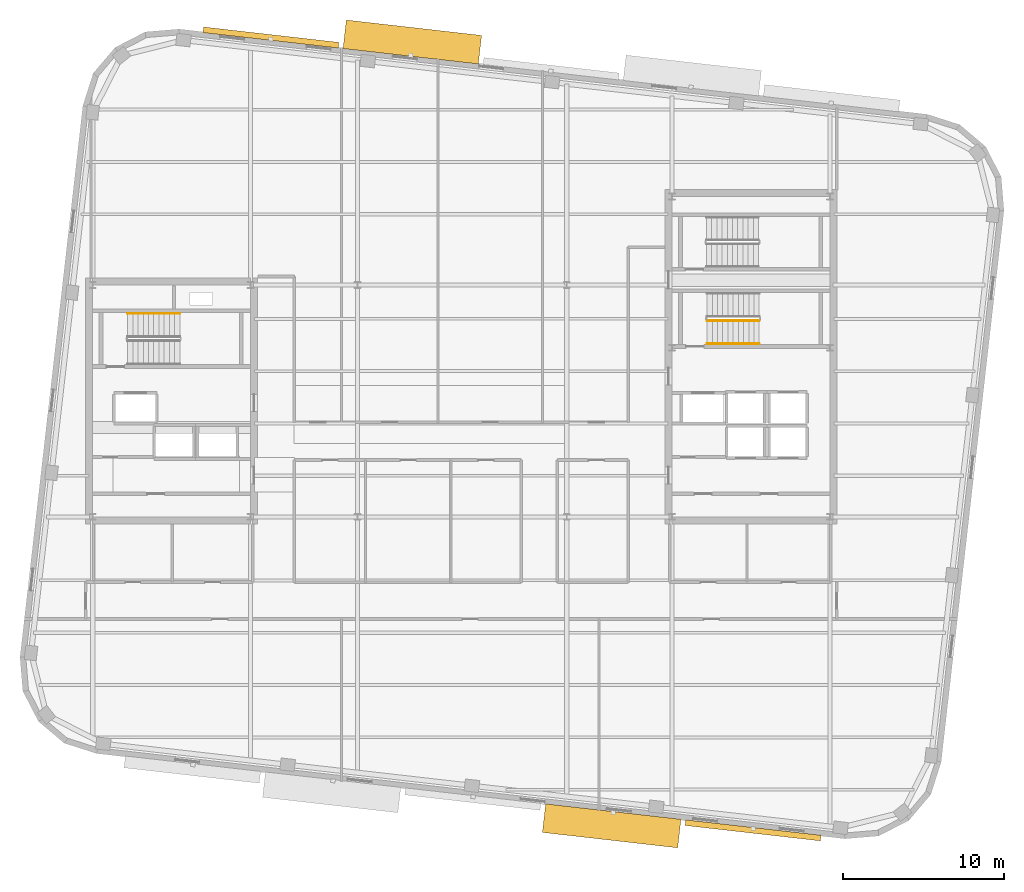
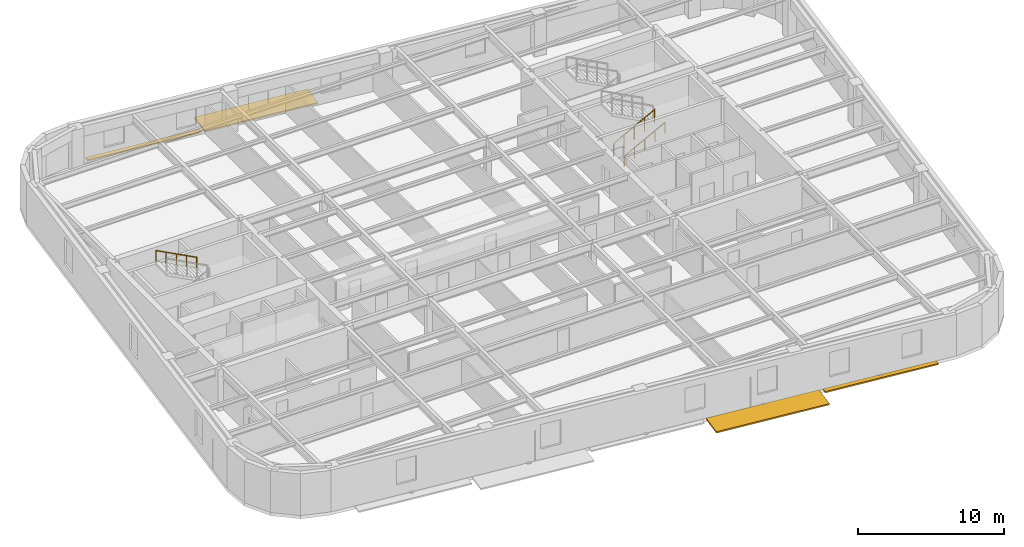
# One storey, part 12 of 13: 4 shading devices, 3 railings.
"""IFC4 building model written with IfcOpenShell, lengths in metres."""

from ifc_helpers import new_model, si_unit, direction, frame, origin, origin_2d, place, context, subcontext, project, spatial, rectangle, circle, extrude, material, type_object, element, save


model = new_model("IFC4")

# Units and contexts
model_context = context("Model", 3, precision=1e-05, world=origin(), true_north=direction((0.0, 1.0)))
body_context = subcontext(model_context, "Body", "Model", "MODEL_VIEW")
ifc_project = project(units=[si_unit("LENGTHUNIT", "METRE"), si_unit("AREAUNIT", "SQUARE_METRE"), si_unit("VOLUMEUNIT", "CUBIC_METRE"), si_unit("PLANEANGLEUNIT", "RADIAN"), si_unit("MASSUNIT", "GRAM", prefix="KILO")], contexts=[model_context])

# Site, building, storey
site_placement = place(None, origin())
site = spatial("IfcSite", under=ifc_project, at=site_placement, CompositionType="ELEMENT")
building_placement = place(site_placement, origin())
building = spatial("IfcBuilding", under=site, at=building_placement, Name="Kolvaren Arena Tower", CompositionType="ELEMENT")
storey_placement = place(building_placement, frame((0.0, 0.0, 243.449951171875)))
storey = spatial("IfcBuildingStorey", under=building, at=storey_placement, Name="L59", CompositionType="ELEMENT", Elevation=243.449951171875)

# Railings
ifc_material_1 = material(Name="Painted galvanized steel", Category="steel")
railing_type_1 = type_object("IfcRailingType", Name="GUARD-ST-110", PredefinedType="GUARDRAIL", material=ifc_material_1)
railing_1_placement = place(storey_placement, frame((52.719970703125, 31.639892578125, 0.17041015625)))
element("IfcRailing", 1, at=railing_1_placement, inside=storey, type_object=railing_type_1, Name="L59 ST-E1 stair guard 1", PredefinedType="GUARDRAIL", context=body_context, shape_type="SweptSolid", body=[
    extrude(circle(Radius=0.02392578125, at=origin_2d()), frame((0.0, 0.0, 1.076171875), z_axis=(0.884993431791, 0.0, 0.465603506952), x_axis=(0.0, 1.0, 0.0)), (0.0, 0.0, 1.0), 3.6611328125),
    extrude(circle(Radius=0.02099609375, at=origin_2d()), origin(), (0.0, 0.0, 1.0), 1.052001953125),
    extrude(circle(Radius=0.02099609375, at=origin_2d()), frame((0.81005859375, 0.0, 0.42626953125)), (0.0, 0.0, 1.0), 1.052001953125),
    extrude(circle(Radius=0.02099609375, at=origin_2d()), frame((1.6201171875, 0.0, 0.852294921875)), (0.0, 0.0, 1.0), 1.052001953125),
    extrude(circle(Radius=0.02099609375, at=origin_2d()), frame((2.429931640625, 0.0, 1.2783203125)), (0.0, 0.0, 1.0), 1.052001953125),
    extrude(circle(Radius=0.02099609375, at=origin_2d()), frame((3.239990234375, 0.0, 1.70458984375)), (0.0, 0.0, 1.0), 1.052001953125),
])
ifc_material_2 = material(Name="Brushed stainless steel handrail", Category="steel")
railing_type_2 = type_object("IfcRailingType", Name="HRAIL-900", PredefinedType="HANDRAIL", material=ifc_material_2)
railing_2_placement = place(storey_placement, frame((19.9599609375, 32.080078125, 2.04541015625)))
element("IfcRailing", 2, at=railing_2_placement, inside=storey, type_object=railing_type_2, Name="L59 ST-W1 stair handrail 2", PredefinedType="HANDRAIL", context=body_context, shape_type="SweptSolid", body=[
    extrude(circle(Radius=0.02392578125, at=origin_2d()), frame((0.0, 0.0, 0.8759765625), z_axis=(-0.884993431791, 0.0, 0.465603506952), x_axis=(0.0, -1.0, 0.0)), (0.0, 0.0, 1.0), 3.6611328125),
    extrude(circle(Radius=0.02099609375, at=origin_2d()), origin(), (0.0, 0.0, 1.0), 0.851806640625),
    extrude(circle(Radius=0.02099609375, at=origin_2d()), frame((-0.81005859375, 0.0, 0.42626953125)), (0.0, 0.0, 1.0), 0.851806640625),
    extrude(circle(Radius=0.02099609375, at=origin_2d()), frame((-1.6201171875, 0.0, 0.852294921875)), (0.0, 0.0, 1.0), 0.851806640625),
    extrude(circle(Radius=0.02099609375, at=origin_2d()), frame((-2.429931640625, 0.0, 1.2783203125)), (0.0, 0.0, 1.0), 0.851806640625),
    extrude(circle(Radius=0.02099609375, at=origin_2d()), frame((-3.239990234375, 0.0, 1.70458984375)), (0.0, 0.0, 1.0), 0.851806640625),
])
railing_3_placement = place(storey_placement, frame((52.719970703125, 30.199951171875, 0.17041015625)))
element("IfcRailing", 3, at=railing_3_placement, inside=storey, type_object=railing_type_2, Name="L59 ST-E1 stair handrail 1", PredefinedType="HANDRAIL", context=body_context, shape_type="SweptSolid", body=[
    extrude(circle(Radius=0.02392578125, at=origin_2d()), frame((0.0, 0.0, 0.8759765625), z_axis=(0.884993431791, 0.0, 0.465603506952), x_axis=(0.0, 1.0, 0.0)), (0.0, 0.0, 1.0), 3.6611328125),
    extrude(circle(Radius=0.02099609375, at=origin_2d()), origin(), (0.0, 0.0, 1.0), 0.851806640625),
    extrude(circle(Radius=0.02099609375, at=origin_2d()), frame((0.81005859375, 0.0, 0.42626953125)), (0.0, 0.0, 1.0), 0.851806640625),
    extrude(circle(Radius=0.02099609375, at=origin_2d()), frame((1.6201171875, 0.0, 0.852294921875)), (0.0, 0.0, 1.0), 0.851806640625),
    extrude(circle(Radius=0.02099609375, at=origin_2d()), frame((2.429931640625, 0.0, 1.2783203125)), (0.0, 0.0, 1.0), 0.851806640625),
    extrude(circle(Radius=0.02099609375, at=origin_2d()), frame((3.239990234375, 0.0, 1.70458984375)), (0.0, 0.0, 1.0), 0.851806640625),
])

# Shading devices
ifc_material_3 = material(Name="Architectural precast GFRC and anodised aluminium sunshade", Category="concrete")
shading_device_type_1 = type_object("IfcShadingDeviceType", Name="SHAD-SINE-A", PredefinedType="USERDEFINED", material=ifc_material_3)
for number, where, z_axis, x_axis, name in (
    (4, (25.6220703125, 49.23095703125, -0.139892578125), (0.0, 0.0, 1.0), (0.993571658098, -0.113204947878, 0.0), "Sinusoidal Slab-Edge Sunshade Louvre (L59)"),
    (5, (55.577880859375, -0.031005859375, -0.139892578125), (0.0, 0.0, 1.0), (-0.993571658098, 0.113204947878, 0.0), "Sinusoidal Slab-Edge Sunshade Louvre (L59)"),
):
    element("IfcShadingDevice", number, at=place(storey_placement, frame(where, z_axis=z_axis, x_axis=x_axis)), inside=storey, type_object=shading_device_type_1, Name=name, ObjectType="LOUVRE", PredefinedType="USERDEFINED", context=body_context, shape_type="SweptSolid", body=[
        extrude(rectangle(XDim=8.4599609375, YDim=0.35400390625, at=origin_2d()), origin(), (0.0, 0.0, 1.0), 0.1201171875),
    ])
shading_device_type_2 = type_object("IfcShadingDeviceType", Name="SHAD-SINE-B", PredefinedType="JALOUSIE", material=ifc_material_3)
for number, where, z_axis, x_axis, name in (
    (6, (34.40673828125, 48.950927734375, -0.139892578125), (0.0, 0.0, 1.0), (0.993571658098, -0.113204947878, 0.0), "Sinusoidal Slab-Edge Sunshade Louvre (L59)"),
    (7, (46.793212890625, 0.2490234375, -0.139892578125), (0.0, 0.0, 1.0), (-0.993571658098, 0.113204947878, 0.0), "Sinusoidal Slab-Edge Sunshade Louvre (L59)"),
):
    element("IfcShadingDevice", number, at=place(storey_placement, frame(where, z_axis=z_axis, x_axis=x_axis)), inside=storey, type_object=shading_device_type_2, Name=name, PredefinedType="JALOUSIE", context=body_context, shape_type="SweptSolid", body=[
        extrude(rectangle(XDim=8.4599609375, YDim=1.78662109375, at=origin_2d()), origin(), (0.0, 0.0, 1.0), 0.1201171875),
    ])

save(model, "model.ifc")
